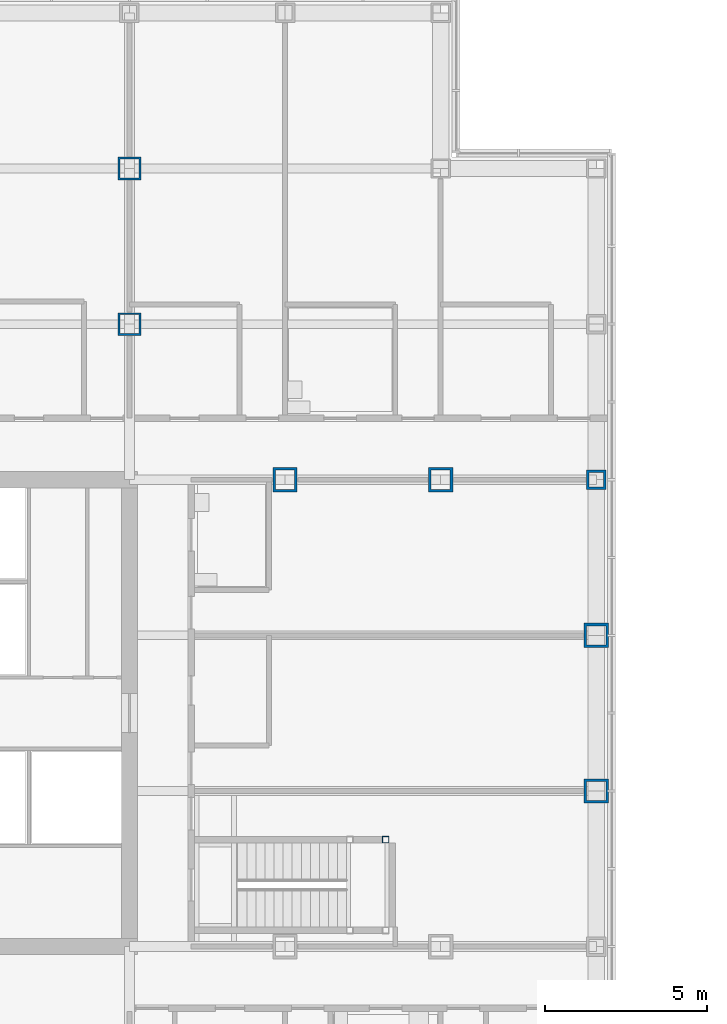
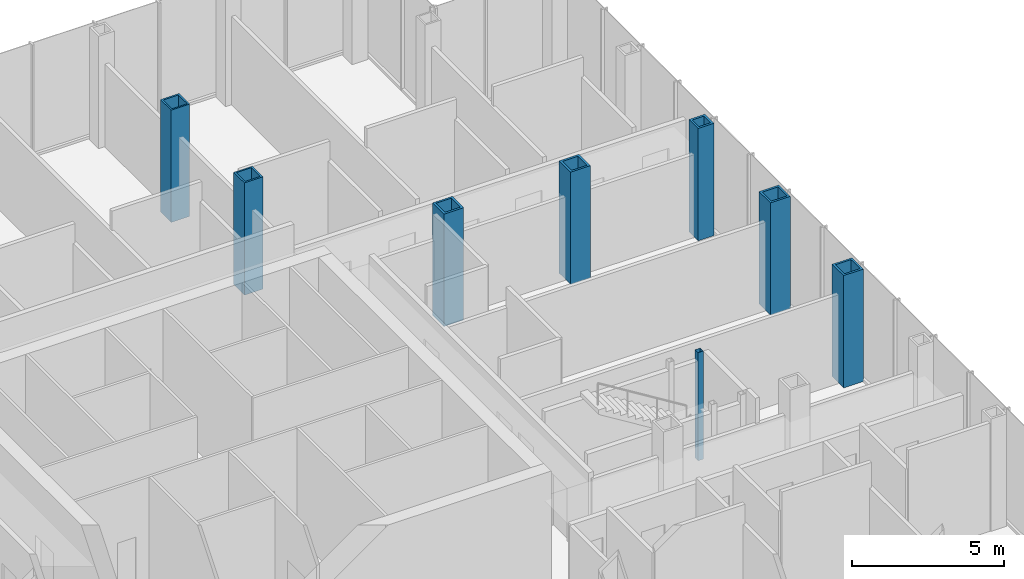
# One storey, part 9 of 26: 8 columns.
"""IFC4 building model written with IfcOpenShell, lengths in metres."""

from ifc_helpers import new_model, si_unit, direction, frame, origin, origin_2d, place, context, subcontext, project, spatial, hollow_rectangle, extrude, material, material_profile, profile_set, type_object, element, save


model = new_model("IFC4")

# Units and contexts
model_context = context("Model", 3, precision=1e-05, world=origin(), true_north=direction((0.0, 1.0)))
body_context = subcontext(model_context, "Body", "Model", "MODEL_VIEW")
ifc_project = project(units=[si_unit("LENGTHUNIT", "METRE"), si_unit("AREAUNIT", "SQUARE_METRE"), si_unit("VOLUMEUNIT", "CUBIC_METRE"), si_unit("PLANEANGLEUNIT", "RADIAN"), si_unit("MASSUNIT", "GRAM", prefix="KILO")], contexts=[model_context])

# Site, building, storey
site_placement = place(None, origin())
site = spatial("IfcSite", under=ifc_project, at=site_placement, CompositionType="ELEMENT")
building_placement = place(site_placement, origin())
building = spatial("IfcBuilding", under=site, at=building_placement, Name="Kvirike Care Tower", CompositionType="ELEMENT")
storey_placement = place(building_placement, frame((0.0, 0.0, 18.0)))
storey = spatial("IfcBuildingStorey", under=building, at=storey_placement, Name="L04", CompositionType="ELEMENT", Elevation=18.0)

# Columns
ifc_material_1 = material(Name="Steel S460", Category="steel")
ifc_material_profile_1 = material_profile(ifc_material_1, hollow_rectangle(XDim=0.60009765625, YDim=0.60009765625, WallThickness=0.080078125, at=origin_2d()), Name="BX 600x600x80")
ifc_profile_set_1 = profile_set([ifc_material_profile_1], Name="Steel S460")
column_type_1 = type_object("IfcColumnType", Name="COLUMN BX 600x600x80", PredefinedType="COLUMN", material=ifc_profile_set_1)
column_1_placement = place(storey_placement, frame((43.199951171875, 43.199951171875, 0.0), z_axis=(0.0, 0.0, 1.0), x_axis=(0.0, 1.0, 0.0)))
element("IfcColumn", 1, at=column_1_placement, inside=storey, type_object=column_type_1, Name="Column K12 L04", PredefinedType="COLUMN", context=body_context, shape_type="SweptSolid", body=[
    extrude(hollow_rectangle(XDim=0.60009765625, YDim=0.60009765625, WallThickness=0.080078125, at=origin_2d()), origin(), (0.0, 0.0, 1.0), 4.5),
])
ifc_material_2 = material(Name="Steel S460", Category="steel")
ifc_material_profile_2 = material_profile(ifc_material_2, hollow_rectangle(XDim=0.699951171875, YDim=0.699951171875, WallThickness=0.06005859375, at=origin_2d()), Name="BX 700x700x60")
ifc_profile_set_2 = profile_set([ifc_material_profile_2], Name="Steel S460")
column_type_2 = type_object("IfcColumnType", Name="COLUMN BX 700x700x60", PredefinedType="COLUMN", material=ifc_profile_set_2)
for number, where, z_axis, x_axis, name in (
    (2, (28.800048828125, 48.0, 0.0), (0.0, 0.0, 1.0), (1.0, 0.0, 0.0), "Column L9 L04"),
    (3, (28.800048828125, 52.800048828125, 0.0), (0.0, 0.0, 1.0), (1.0, 0.0, 0.0), "Column M9 L04"),
):
    element("IfcColumn", number, at=place(storey_placement, frame(where, z_axis=z_axis, x_axis=x_axis)), inside=storey, type_object=column_type_2, Name=name, PredefinedType="COLUMN", context=body_context, shape_type="SweptSolid", body=[
        extrude(hollow_rectangle(XDim=0.699951171875, YDim=0.699951171875, WallThickness=0.06005859375, at=origin_2d()), origin(), (0.0, 0.0, 1.0), 4.5),
    ])
ifc_material_3 = material(Name="Steel S460", Category="steel")
ifc_material_profile_3 = material_profile(ifc_material_3, hollow_rectangle(XDim=0.75, YDim=0.75, WallThickness=0.080078125, at=origin_2d()), Name="BX 750x750x80")
ifc_profile_set_3 = profile_set([ifc_material_profile_3], Name="Steel S460")
column_type_3 = type_object("IfcColumnType", Name="COLUMN BX 750x750x80", PredefinedType="COLUMN", material=ifc_profile_set_3)
for number, where, z_axis, x_axis, name in (
    (4, (33.60009765625, 43.199951171875, 0.0), (0.0, 0.0, 1.0), (0.0, 1.0, 0.0), "Column K10 L04"),
    (5, (38.39990234375, 43.199951171875, 0.0), (0.0, 0.0, 1.0), (0.0, 1.0, 0.0), "Column K11 L04"),
    (6, (43.199951171875, 33.60009765625, 0.0), (0.0, 0.0, 1.0), (1.0, 0.0, 0.0), "Column H12 L04"),
    (7, (43.199951171875, 38.39990234375, 0.0), (0.0, 0.0, 1.0), (1.0, 0.0, 0.0), "Column J12 L04"),
):
    element("IfcColumn", number, at=place(storey_placement, frame(where, z_axis=z_axis, x_axis=x_axis)), inside=storey, type_object=column_type_3, Name=name, PredefinedType="COLUMN", context=body_context, shape_type="SweptSolid", body=[
        extrude(hollow_rectangle(XDim=0.75, YDim=0.75, WallThickness=0.080078125, at=origin_2d()), origin(), (0.0, 0.0, 1.0), 4.5),
    ])
ifc_material_4 = material(Name="Steel S460", Category="steel")
ifc_material_profile_4 = material_profile(ifc_material_4, hollow_rectangle(XDim=0.199951171875, YDim=0.199951171875, WallThickness=0.008056640625, at=origin_2d()), Name="SHS 200x200x8")
ifc_profile_set_4 = profile_set([ifc_material_profile_4], Name="Steel S460")
column_type_4 = type_object("IfcColumnType", Name="STAIR POST SHS 200x200x8", PredefinedType="COLUMN", material=ifc_profile_set_4)
column_2_placement = place(storey_placement, frame((36.699951171875, 32.10009765625, 0.0), z_axis=(0.0, 0.0, 1.0), x_axis=(1.0, 0.0, 0.0)))
element("IfcColumn", 8, at=column_2_placement, inside=storey, type_object=column_type_4, Name="Stair 2 post 2 L04", PredefinedType="COLUMN", context=body_context, shape_type="SweptSolid", body=[
    extrude(hollow_rectangle(XDim=0.199951171875, YDim=0.199951171875, WallThickness=0.008056640625, at=origin_2d()), origin(), (0.0, 0.0, 1.0), 4.330078125),
])

save(model, "model.ifc")
